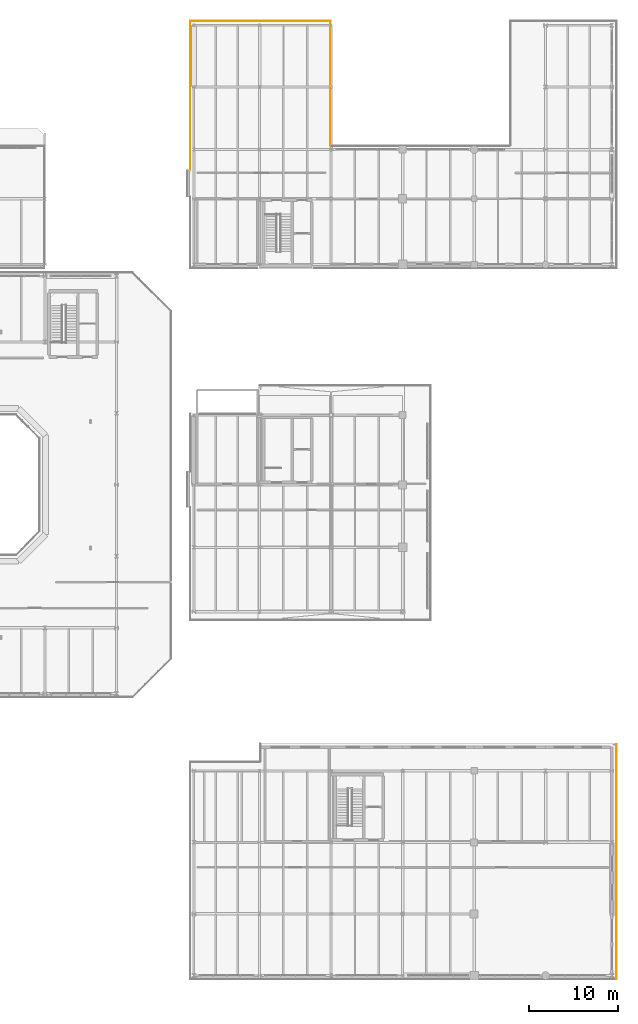
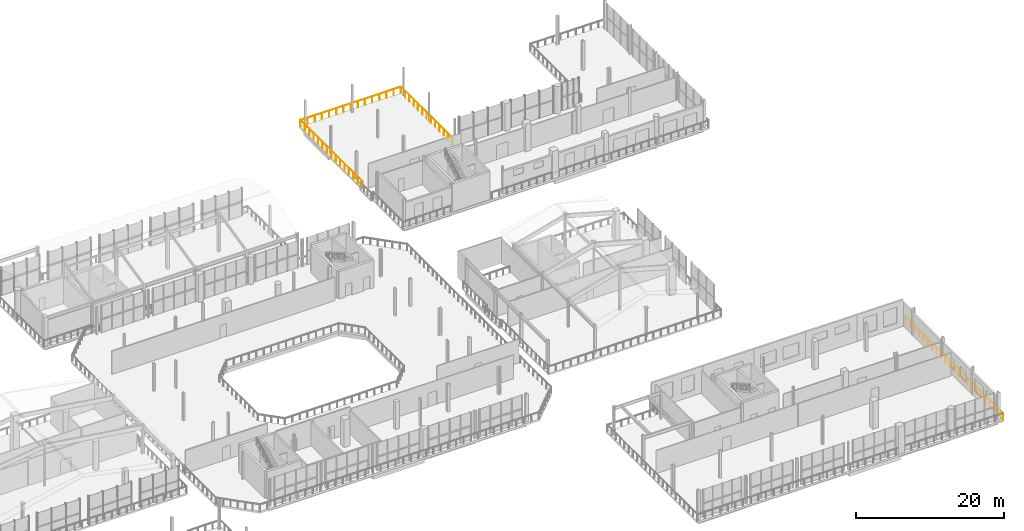
# One storey, part 68 of 70: 4 railings.
"""IFC4 building model written with IfcOpenShell, lengths in metres."""

from ifc_helpers import new_model, si_unit, direction, frame, origin, origin_2d, place, context, subcontext, project, spatial, circle, extrude, material, type_object, element, save


model = new_model("IFC4")

# Units and contexts
model_context = context("Model", 3, precision=1e-05, world=origin(), true_north=direction((0.0, 1.0)))
body_context = subcontext(model_context, "Body", "Model", "MODEL_VIEW")
ifc_project = project(units=[si_unit("LENGTHUNIT", "METRE"), si_unit("AREAUNIT", "SQUARE_METRE"), si_unit("VOLUMEUNIT", "CUBIC_METRE"), si_unit("PLANEANGLEUNIT", "RADIAN"), si_unit("MASSUNIT", "GRAM", prefix="KILO")], contexts=[model_context])

# Site, building, storey
site_placement = place(None, origin())
site = spatial("IfcSite", under=ifc_project, at=site_placement, CompositionType="ELEMENT")
building_placement = place(site_placement, origin())
building = spatial("IfcBuilding", under=site, at=building_placement, Name="Brisemont Oceanarium", CompositionType="ELEMENT")
storey_placement = place(building_placement, frame((0.0, 0.0, 10.199951171875)))
storey = spatial("IfcBuildingStorey", under=building, at=storey_placement, Name="L02", CompositionType="ELEMENT", Elevation=10.199951171875)

# Railings
ifc_material = material(Name="Duplex Stainless Steel EN 1.4462", Category="steel")
railing_type = type_object("IfcRailingType", Name="RLG-GUARD-1120", PredefinedType="GUARDRAIL", material=ifc_material)
railing_1_placement = place(storey_placement, frame((112.239990234375, 91.208251953125, 0.0)))
element("IfcRailing", 1, at=railing_1_placement, inside=storey, type_object=railing_type, Name="L02 slab perimeter safety guard 110", PredefinedType="GUARDRAIL", context=body_context, shape_type="SweptSolid", body=[
    extrude(circle(Radius=0.02392578125, at=origin_2d()), frame((0.0, 0.0, 1.09619140625), z_axis=(0.0, 1.0, 0.0), x_axis=(-1.0, 0.0, 0.0)), (0.0, 0.0, 1.0), 16.701171875),
    extrude(circle(Radius=0.02099609375, at=origin_2d()), origin(), (0.0, 0.0, 1.0), 1.072021484375),
    extrude(circle(Radius=0.02099609375, at=origin_2d()), frame((0.0, 1.19287109375, 0.0)), (0.0, 0.0, 1.0), 1.072021484375),
    extrude(circle(Radius=0.02099609375, at=origin_2d()), frame((0.0, 2.385986328125, 0.0)), (0.0, 0.0, 1.0), 1.072021484375),
    extrude(circle(Radius=0.02099609375, at=origin_2d()), frame((0.0, 3.578857421875, 0.0)), (0.0, 0.0, 1.0), 1.072021484375),
    extrude(circle(Radius=0.02099609375, at=origin_2d()), frame((0.0, 4.771728515625, 0.0)), (0.0, 0.0, 1.0), 1.072021484375),
    extrude(circle(Radius=0.02099609375, at=origin_2d()), frame((0.0, 5.964599609375, 0.0)), (0.0, 0.0, 1.0), 1.072021484375),
    extrude(circle(Radius=0.02099609375, at=origin_2d()), frame((0.0, 7.15771484375, 0.0)), (0.0, 0.0, 1.0), 1.072021484375),
    extrude(circle(Radius=0.02099609375, at=origin_2d()), frame((0.0, 8.3505859375, 0.0)), (0.0, 0.0, 1.0), 1.072021484375),
    extrude(circle(Radius=0.02099609375, at=origin_2d()), frame((0.0, 9.54345703125, 0.0)), (0.0, 0.0, 1.0), 1.072021484375),
    extrude(circle(Radius=0.02099609375, at=origin_2d()), frame((0.0, 10.736572265625, 0.0)), (0.0, 0.0, 1.0), 1.072021484375),
    extrude(circle(Radius=0.02099609375, at=origin_2d()), frame((0.0, 11.929443359375, 0.0)), (0.0, 0.0, 1.0), 1.072021484375),
    extrude(circle(Radius=0.02099609375, at=origin_2d()), frame((0.0, 13.122314453125, 0.0)), (0.0, 0.0, 1.0), 1.072021484375),
    extrude(circle(Radius=0.02099609375, at=origin_2d()), frame((0.0, 14.315185546875, 0.0)), (0.0, 0.0, 1.0), 1.072021484375),
    extrude(circle(Radius=0.02099609375, at=origin_2d()), frame((0.0, 15.50830078125, 0.0)), (0.0, 0.0, 1.0), 1.072021484375),
    extrude(circle(Radius=0.02099609375, at=origin_2d()), frame((0.0, 16.701171875, 0.0)), (0.0, 0.0, 1.0), 1.072021484375),
])
railing_2_placement = place(storey_placement, frame((112.239990234375, 107.909423828125, 0.0)))
element("IfcRailing", 2, at=railing_2_placement, inside=storey, type_object=railing_type, Name="L02 slab perimeter safety guard 111", PredefinedType="GUARDRAIL", context=body_context, shape_type="SweptSolid", body=[
    extrude(circle(Radius=0.02392578125, at=origin_2d()), frame((0.0, 0.0, 1.09619140625), z_axis=(0.999999999514, 3.1161385e-05, 0.0), x_axis=(-3.1161385e-05, 0.999999999514, 0.0)), (0.0, 0.0, 1.0), 15.66943359375),
    extrude(circle(Radius=0.02099609375, at=origin_2d()), origin(), (0.0, 0.0, 1.0), 1.072021484375),
    extrude(circle(Radius=0.02099609375, at=origin_2d()), frame((1.119140625, 0.0, 0.0)), (0.0, 0.0, 1.0), 1.072021484375),
    extrude(circle(Radius=0.02099609375, at=origin_2d()), frame((2.238525390625, 0.0, 0.0)), (0.0, 0.0, 1.0), 1.072021484375),
    extrude(circle(Radius=0.02099609375, at=origin_2d()), frame((3.357666015625, 0.0, 0.0)), (0.0, 0.0, 1.0), 1.072021484375),
    extrude(circle(Radius=0.02099609375, at=origin_2d()), frame((4.47705078125, 0.000244140625, 0.0)), (0.0, 0.0, 1.0), 1.072021484375),
    extrude(circle(Radius=0.02099609375, at=origin_2d()), frame((5.59619140625, 0.000244140625, 0.0)), (0.0, 0.0, 1.0), 1.072021484375),
    extrude(circle(Radius=0.02099609375, at=origin_2d()), frame((6.715576171875, 0.000244140625, 0.0)), (0.0, 0.0, 1.0), 1.072021484375),
    extrude(circle(Radius=0.02099609375, at=origin_2d()), frame((7.834716796875, 0.000244140625, 0.0)), (0.0, 0.0, 1.0), 1.072021484375),
    extrude(circle(Radius=0.02099609375, at=origin_2d()), frame((8.953857421875, 0.000244140625, 0.0)), (0.0, 0.0, 1.0), 1.072021484375),
    extrude(circle(Radius=0.02099609375, at=origin_2d()), frame((10.0732421875, 0.000244140625, 0.0)), (0.0, 0.0, 1.0), 1.072021484375),
    extrude(circle(Radius=0.02099609375, at=origin_2d()), frame((11.1923828125, 0.000244140625, 0.0)), (0.0, 0.0, 1.0), 1.072021484375),
    extrude(circle(Radius=0.02099609375, at=origin_2d()), frame((12.311767578125, 0.00048828125, 0.0)), (0.0, 0.0, 1.0), 1.072021484375),
    extrude(circle(Radius=0.02099609375, at=origin_2d()), frame((13.430908203125, 0.00048828125, 0.0)), (0.0, 0.0, 1.0), 1.072021484375),
    extrude(circle(Radius=0.02099609375, at=origin_2d()), frame((14.55029296875, 0.00048828125, 0.0)), (0.0, 0.0, 1.0), 1.072021484375),
    extrude(circle(Radius=0.02099609375, at=origin_2d()), frame((15.66943359375, 0.00048828125, 0.0)), (0.0, 0.0, 1.0), 1.072021484375),
])
railing_3_placement = place(storey_placement, frame((127.909423828125, 107.909912109375, 0.0)))
element("IfcRailing", 3, at=railing_3_placement, inside=storey, type_object=railing_type, Name="L02 slab perimeter safety guard 112", PredefinedType="GUARDRAIL", context=body_context, shape_type="SweptSolid", body=[
    extrude(circle(Radius=0.02392578125, at=origin_2d()), frame((0.0, 0.0, 1.09619140625), z_axis=(3.515371e-05, -0.999999999382, 0.0), x_axis=(0.999999999382, 3.515371e-05, 0.0)), (0.0, 0.0, 1.0), 13.889892578125),
    extrude(circle(Radius=0.02099609375, at=origin_2d()), origin(), (0.0, 0.0, 1.0), 1.072021484375),
    extrude(circle(Radius=0.02099609375, at=origin_2d()), frame((0.0, -1.157470703125, 0.0)), (0.0, 0.0, 1.0), 1.072021484375),
    extrude(circle(Radius=0.02099609375, at=origin_2d()), frame((0.0, -2.31494140625, 0.0)), (0.0, 0.0, 1.0), 1.072021484375),
    extrude(circle(Radius=0.02099609375, at=origin_2d()), frame((0.0, -3.472412109375, 0.0)), (0.0, 0.0, 1.0), 1.072021484375),
    extrude(circle(Radius=0.02099609375, at=origin_2d()), frame((0.000244140625, -4.6298828125, 0.0)), (0.0, 0.0, 1.0), 1.072021484375),
    extrude(circle(Radius=0.02099609375, at=origin_2d()), frame((0.000244140625, -5.787353515625, 0.0)), (0.0, 0.0, 1.0), 1.072021484375),
    extrude(circle(Radius=0.02099609375, at=origin_2d()), frame((0.000244140625, -6.94482421875, 0.0)), (0.0, 0.0, 1.0), 1.072021484375),
    extrude(circle(Radius=0.02099609375, at=origin_2d()), frame((0.000244140625, -8.1025390625, 0.0)), (0.0, 0.0, 1.0), 1.072021484375),
    extrude(circle(Radius=0.02099609375, at=origin_2d()), frame((0.000244140625, -9.260009765625, 0.0)), (0.0, 0.0, 1.0), 1.072021484375),
    extrude(circle(Radius=0.02099609375, at=origin_2d()), frame((0.00048828125, -10.41748046875, 0.0)), (0.0, 0.0, 1.0), 1.072021484375),
    extrude(circle(Radius=0.02099609375, at=origin_2d()), frame((0.00048828125, -11.574951171875, 0.0)), (0.0, 0.0, 1.0), 1.072021484375),
    extrude(circle(Radius=0.02099609375, at=origin_2d()), frame((0.00048828125, -12.732421875, 0.0)), (0.0, 0.0, 1.0), 1.072021484375),
    extrude(circle(Radius=0.02099609375, at=origin_2d()), frame((0.00048828125, -13.889892578125, 0.0)), (0.0, 0.0, 1.0), 1.072021484375),
])
railing_4_placement = place(storey_placement, frame((159.909423828125, 26.9599609375, 0.0)))
element("IfcRailing", 4, at=railing_4_placement, inside=storey, type_object=railing_type, Name="L02 slab perimeter safety guard 125", PredefinedType="GUARDRAIL", context=body_context, shape_type="SweptSolid", body=[
    extrude(circle(Radius=0.02392578125, at=origin_2d()), frame((0.0, 0.0, 1.09619140625), z_axis=(1.8587361e-05, -0.999999999827, 0.0), x_axis=(0.999999999827, 1.8587361e-05, 0.0)), (0.0, 0.0, 1.0), 26.26953125),
    extrude(circle(Radius=0.02099609375, at=origin_2d()), origin(), (0.0, 0.0, 1.0), 1.072021484375),
    extrude(circle(Radius=0.02099609375, at=origin_2d()), frame((0.0, -1.194091796875, 0.0)), (0.0, 0.0, 1.0), 1.072021484375),
    extrude(circle(Radius=0.02099609375, at=origin_2d()), frame((0.0, -2.38818359375, 0.0)), (0.0, 0.0, 1.0), 1.072021484375),
    extrude(circle(Radius=0.02099609375, at=origin_2d()), frame((0.0, -3.582275390625, 0.0)), (0.0, 0.0, 1.0), 1.072021484375),
    extrude(circle(Radius=0.02099609375, at=origin_2d()), frame((0.0, -4.7763671875, 0.0)), (0.0, 0.0, 1.0), 1.072021484375),
    extrude(circle(Radius=0.02099609375, at=origin_2d()), frame((0.0, -5.970458984375, 0.0)), (0.0, 0.0, 1.0), 1.072021484375),
    extrude(circle(Radius=0.02099609375, at=origin_2d()), frame((0.000244140625, -7.164306640625, 0.0)), (0.0, 0.0, 1.0), 1.072021484375),
    extrude(circle(Radius=0.02099609375, at=origin_2d()), frame((0.000244140625, -8.3583984375, 0.0)), (0.0, 0.0, 1.0), 1.072021484375),
    extrude(circle(Radius=0.02099609375, at=origin_2d()), frame((0.000244140625, -9.552490234375, 0.0)), (0.0, 0.0, 1.0), 1.072021484375),
    extrude(circle(Radius=0.02099609375, at=origin_2d()), frame((0.000244140625, -10.74658203125, 0.0)), (0.0, 0.0, 1.0), 1.072021484375),
    extrude(circle(Radius=0.02099609375, at=origin_2d()), frame((0.000244140625, -11.940673828125, 0.0)), (0.0, 0.0, 1.0), 1.072021484375),
    extrude(circle(Radius=0.02099609375, at=origin_2d()), frame((0.000244140625, -13.134765625, 0.0)), (0.0, 0.0, 1.0), 1.072021484375),
    extrude(circle(Radius=0.02099609375, at=origin_2d()), frame((0.000244140625, -14.328857421875, 0.0)), (0.0, 0.0, 1.0), 1.072021484375),
    extrude(circle(Radius=0.02099609375, at=origin_2d()), frame((0.000244140625, -15.52294921875, 0.0)), (0.0, 0.0, 1.0), 1.072021484375),
    extrude(circle(Radius=0.02099609375, at=origin_2d()), frame((0.000244140625, -16.717041015625, 0.0)), (0.0, 0.0, 1.0), 1.072021484375),
    extrude(circle(Radius=0.02099609375, at=origin_2d()), frame((0.000244140625, -17.9111328125, 0.0)), (0.0, 0.0, 1.0), 1.072021484375),
    extrude(circle(Radius=0.02099609375, at=origin_2d()), frame((0.000244140625, -19.105224609375, 0.0)), (0.0, 0.0, 1.0), 1.072021484375),
    extrude(circle(Radius=0.02099609375, at=origin_2d()), frame((0.00048828125, -20.299072265625, 0.0)), (0.0, 0.0, 1.0), 1.072021484375),
    extrude(circle(Radius=0.02099609375, at=origin_2d()), frame((0.00048828125, -21.4931640625, 0.0)), (0.0, 0.0, 1.0), 1.072021484375),
    extrude(circle(Radius=0.02099609375, at=origin_2d()), frame((0.00048828125, -22.687255859375, 0.0)), (0.0, 0.0, 1.0), 1.072021484375),
    extrude(circle(Radius=0.02099609375, at=origin_2d()), frame((0.00048828125, -23.88134765625, 0.0)), (0.0, 0.0, 1.0), 1.072021484375),
    extrude(circle(Radius=0.02099609375, at=origin_2d()), frame((0.00048828125, -25.075439453125, 0.0)), (0.0, 0.0, 1.0), 1.072021484375),
    extrude(circle(Radius=0.02099609375, at=origin_2d()), frame((0.00048828125, -26.26953125, 0.0)), (0.0, 0.0, 1.0), 1.072021484375),
])

save(model, "model.ifc")
